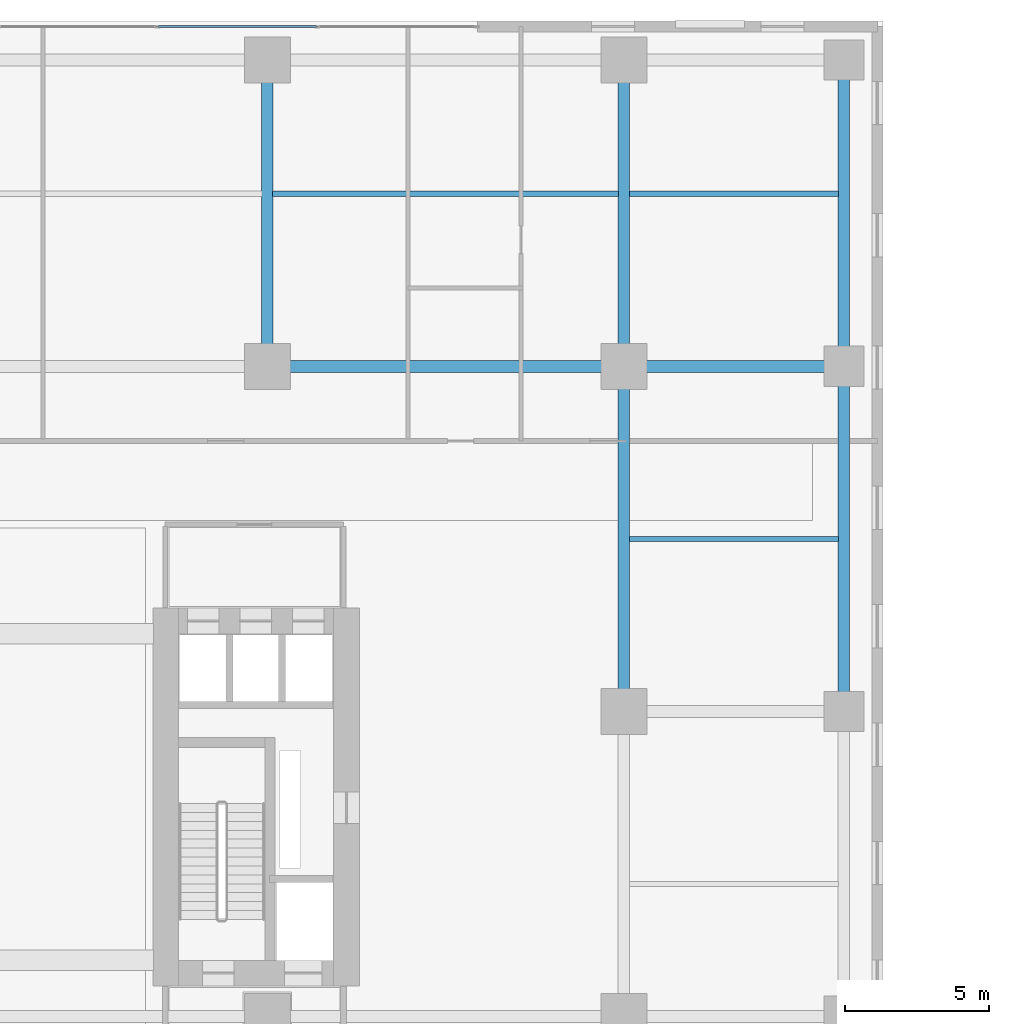
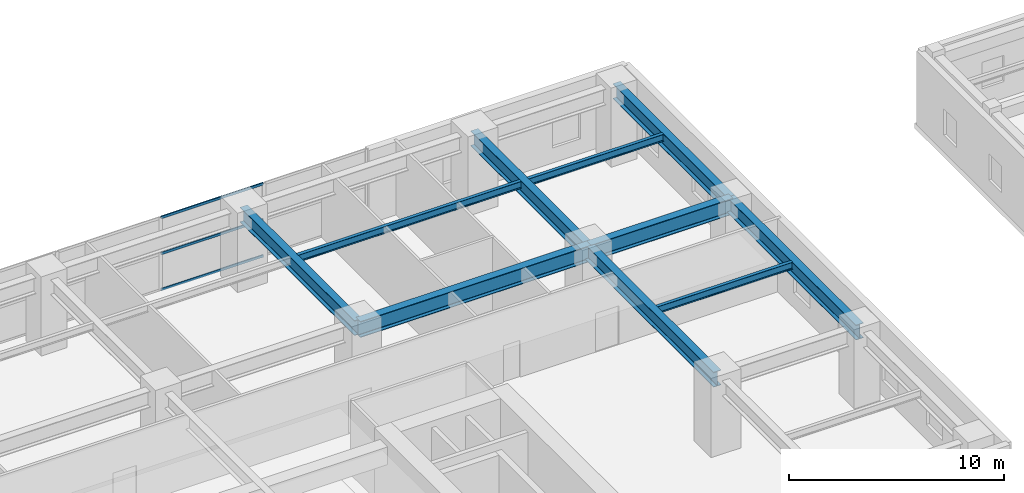
# One storey, part 7 of 28: 10 beams, 3 members, 1 element without a shape of its own.
"""IFC4 building model written with IfcOpenShell, lengths in metres."""

from ifc_helpers import new_model, si_unit, direction, frame, origin, origin_2d, place, context, subcontext, project, spatial, hollow_rectangle, i_section, extrude, source, transform, mapped, material, layer, layer_set, material_profile, profile_set, type_object, element, aggregate, save


model = new_model("IFC4")

# Units and contexts
model_context = context("Model", 3, precision=1e-05, world=origin(), true_north=direction((0.0, 1.0)))
body_context = subcontext(model_context, "Body", "Model", "MODEL_VIEW")
ifc_project = project(units=[si_unit("LENGTHUNIT", "METRE"), si_unit("AREAUNIT", "SQUARE_METRE"), si_unit("VOLUMEUNIT", "CUBIC_METRE"), si_unit("PLANEANGLEUNIT", "RADIAN"), si_unit("MASSUNIT", "GRAM", prefix="KILO")], contexts=[model_context])

# Site, building, storey
site_placement = place(None, origin())
site = spatial("IfcSite", under=ifc_project, at=site_placement, CompositionType="ELEMENT")
building_placement = place(site_placement, origin())
building = spatial("IfcBuilding", under=site, at=building_placement, Name="Khoralis Quay Care Tower", CompositionType="ELEMENT")
storey_placement = place(building_placement, frame((0.0, 0.0, 9.0)))
storey = spatial("IfcBuildingStorey", under=building, at=storey_placement, Name="L02", CompositionType="ELEMENT", Elevation=9.0)

# Beams
ifc_material_1 = material(Name="Steel S355", Category="steel")
ifc_material_profile_1 = material_profile(ifc_material_1, i_section(OverallWidth=0.41796875, OverallDepth=0.912109375, WebThickness=0.019287109375, FlangeThickness=0.031982421875, FilletRadius=0.02392578125, at=origin_2d()), Name="Steel S355")
ifc_profile_set_1 = profile_set([ifc_material_profile_1], Name="Steel S355")
beam_type_1 = type_object("IfcBeamType", Name="BM-W920X342", PredefinedType="BEAM", material=ifc_profile_set_1)
shared_shape_1 = source(origin(), body_context, "Body", "SweptSolid", [
    extrude(i_section(OverallWidth=0.41796875, OverallDepth=0.912109375, WebThickness=0.019287109375, FlangeThickness=0.031982421875, FilletRadius=0.02392578125, at=origin_2d()), origin(), (0.0, 0.0, 1.0), 12.39990234375),
])
beam_1_placement = place(storey_placement, frame((34.60009765625, 36.0, 3.7041015625), z_axis=(1.0, 0.0, 0.0), x_axis=(0.0, 1.0, 0.0)))
element("IfcBeam", 1, at=beam_1_placement, inside=storey, type_object=beam_type_1, Name="BM-PODX-L02-17", PredefinedType="BEAM", context=body_context, shape_type="MappedRepresentation", body=[
    mapped(shared_shape_1, transform((0.0, 0.0, 0.0), scale=1.0)),
])
shared_shape_2 = source(origin(), body_context, "Body", "SweptSolid", [
    extrude(i_section(OverallWidth=0.41796875, OverallDepth=0.912109375, WebThickness=0.019287109375, FlangeThickness=0.031982421875, FilletRadius=0.02392578125, at=origin_2d()), origin(), (0.0, 0.0, 1.0), 7.64990234375),
])
beam_2_placement = place(storey_placement, frame((47.0, 36.0, 3.7041015625), z_axis=(1.0, 0.0, 0.0), x_axis=(0.0, 1.0, 0.0)))
element("IfcBeam", 2, at=beam_2_placement, inside=storey, type_object=beam_type_1, Name="BM-PODX-L02-18", PredefinedType="BEAM", context=body_context, shape_type="MappedRepresentation", body=[
    mapped(shared_shape_2, transform((0.0, 0.0, 0.0), scale=1.0)),
])
ifc_material_profile_2 = material_profile(ifc_material_1, i_section(OverallWidth=0.39990234375, OverallDepth=0.85498046875, WebThickness=0.018310546875, FlangeThickness=0.029296875, FilletRadius=0.02392578125, at=origin_2d()), Name="Steel S355")
ifc_profile_set_2 = profile_set([ifc_material_profile_2], Name="Steel S355")
beam_type_2 = type_object("IfcBeamType", Name="BM-W840X299", PredefinedType="BEAM", material=ifc_profile_set_2)
shared_shape_3 = source(origin(), body_context, "Body", "SweptSolid", [
    extrude(i_section(OverallWidth=0.39990234375, OverallDepth=0.85498046875, WebThickness=0.018310546875, FlangeThickness=0.029296875, FilletRadius=0.02392578125, at=origin_2d()), origin(), (0.0, 0.0, 1.0), 12.0),
])
for number, where, z_axis, x_axis, name in (
    (3, (47.0, 24.0, 3.732421875), (0.0, 1.0, 0.0), (-1.0, 0.0, 0.0), "BM-PODY-L02-42"),
    (4, (54.64990234375, 24.0, 3.732421875), (0.0, 1.0, 0.0), (-1.0, 0.0, 0.0), "BM-PODY-L02-45"),
):
    element("IfcBeam", number, at=place(storey_placement, frame(where, z_axis=z_axis, x_axis=x_axis)), inside=storey, type_object=beam_type_2, Name=name, PredefinedType="BEAM", context=body_context, shape_type="MappedRepresentation", body=[
        mapped(shared_shape_3, transform((0.0, 0.0, 0.0), scale=1.0)),
    ])
shared_shape_4 = source(origin(), body_context, "Body", "SweptSolid", [
    extrude(i_section(OverallWidth=0.39990234375, OverallDepth=0.85498046875, WebThickness=0.018310546875, FlangeThickness=0.029296875, FilletRadius=0.02392578125, at=origin_2d()), origin(), (0.0, 0.0, 1.0), 10.64990234375),
])
for number, where, z_axis, x_axis, name in (
    (5, (34.60009765625, 36.0, 3.732421875), (0.0, 1.0, 0.0), (-1.0, 0.0, 0.0), "BM-PODY-L02-39"),
    (6, (47.0, 36.0, 3.732421875), (0.0, 1.0, 0.0), (-1.0, 0.0, 0.0), "BM-PODY-L02-43"),
    (7, (54.64990234375, 36.0, 3.732421875), (0.0, 1.0, 0.0), (-1.0, 0.0, 0.0), "BM-PODY-L02-46"),
):
    element("IfcBeam", number, at=place(storey_placement, frame(where, z_axis=z_axis, x_axis=x_axis)), inside=storey, type_object=beam_type_2, Name=name, PredefinedType="BEAM", context=body_context, shape_type="MappedRepresentation", body=[
        mapped(shared_shape_4, transform((0.0, 0.0, 0.0), scale=1.0)),
    ])
ifc_material_profile_3 = material_profile(ifc_material_1, i_section(OverallWidth=0.177978515625, OverallDepth=0.406982421875, WebThickness=0.0078125, FlangeThickness=0.0126953125, FilletRadius=0.012939453125, at=origin_2d()), Name="Steel S355")
ifc_profile_set_3 = profile_set([ifc_material_profile_3], Name="Steel S355")
beam_type_3 = type_object("IfcBeamType", Name="BM-W410X60", PredefinedType="JOIST", material=ifc_profile_set_3)
shared_shape_5 = source(origin(), body_context, "Body", "SweptSolid", [
    extrude(i_section(OverallWidth=0.177978515625, OverallDepth=0.406982421875, WebThickness=0.0078125, FlangeThickness=0.0126953125, FilletRadius=0.012939453125, at=origin_2d()), origin(), (0.0, 0.0, 1.0), 12.02392578125),
])
beam_3_placement = place(storey_placement, frame((34.7880859375, 42.0, 3.95654296875), z_axis=(1.0, 0.0, 0.0), x_axis=(0.0, 1.0, 0.0)))
element("IfcBeam", 8, at=beam_3_placement, inside=storey, type_object=beam_type_3, Name="BM-PODJ-L02-58", PredefinedType="JOIST", context=body_context, shape_type="MappedRepresentation", body=[
    mapped(shared_shape_5, transform((0.0, 0.0, 0.0), scale=1.0)),
])
shared_shape_6 = source(origin(), body_context, "Body", "SweptSolid", [
    extrude(i_section(OverallWidth=0.177978515625, OverallDepth=0.406982421875, WebThickness=0.0078125, FlangeThickness=0.0126953125, FilletRadius=0.012939453125, at=origin_2d()), origin(), (0.0, 0.0, 1.0), 7.27392578125),
])
for number, where, z_axis, x_axis, name in (
    (9, (47.18798828125, 30.0, 3.95654296875), (1.0, 0.0, 0.0), (0.0, 1.0, 0.0), "BM-PODJ-L02-54"),
    (10, (47.18798828125, 42.0, 3.95654296875), (1.0, 0.0, 0.0), (0.0, 1.0, 0.0), "BM-PODJ-L02-59"),
):
    element("IfcBeam", number, at=place(storey_placement, frame(where, z_axis=z_axis, x_axis=x_axis)), inside=storey, type_object=beam_type_3, Name=name, PredefinedType="JOIST", context=body_context, shape_type="MappedRepresentation", body=[
        mapped(shared_shape_6, transform((0.0, 0.0, 0.0), scale=1.0)),
    ])

# Curtain wall, members
ifc_material_2 = material(Name="Pale anodised aluminium", Category="aluminium")
ifc_layer = layer(ifc_material_2, 0.179931640625)
ifc_layer_set = layer_set([ifc_layer], Name="Pale anodised aluminium")
curtain_wall_type = type_object("IfcCurtainWallType", Name="CW-SYS-Z1", PredefinedType="NOTDEFINED", material=ifc_layer_set)
curtain_wall_placement = place(storey_placement, origin())
curtain_wall = element("IfcCurtainWall", 11, at=curtain_wall_placement, inside=storey, type_object=curtain_wall_type, Name="L02 Unitised Curtain Wall CW-POD-L02-E4", PredefinedType="NOTDEFINED")
ifc_material_profile_4 = material_profile(ifc_material_2, hollow_rectangle(XDim=0.06005859375, YDim=0.139892578125, WallThickness=0.00390625, at=origin_2d()), Name="Pale anodised aluminium")
ifc_profile_set_4 = profile_set([ifc_material_profile_4], Name="Pale anodised aluminium")
member_type = type_object("IfcMemberType", Name="CW-TRN-140", PredefinedType="USERDEFINED", material=ifc_profile_set_4)
shared_shape_7 = source(origin(), body_context, "Body", "SweptSolid", [
    extrude(hollow_rectangle(XDim=0.06005859375, YDim=0.139892578125, WallThickness=0.00390625, at=origin_2d()), origin(), (0.0, 0.0, 1.0), 5.501953125),
])
member_1_placement = place(storey_placement, frame((36.31298828125, 47.81005859375, 0.030029296875), z_axis=(-1.0, 0.0, 0.0), x_axis=(0.0, -1.0, 0.0)))
member_1 = element("IfcMember", 12, at=member_1_placement, type_object=member_type, Name="CW1 transom 2.1", ObjectType="TRANSOM", PredefinedType="USERDEFINED", context=body_context, shape_type="MappedRepresentation", body=[
    mapped(shared_shape_7, transform((0.0, 0.0, 0.0), scale=1.0)),
])
member_2_placement = place(storey_placement, frame((36.31298828125, 47.81005859375, 2.080078125), z_axis=(-1.0, 0.0, 0.0), x_axis=(0.0, -1.0, 0.0)))
member_2 = element("IfcMember", 13, at=member_2_placement, type_object=member_type, Name="CW1 transom 2.2", ObjectType="TRANSOM", PredefinedType="USERDEFINED", context=body_context, shape_type="MappedRepresentation", body=[
    mapped(shared_shape_7, transform((0.0, 0.0, 0.0), scale=1.0)),
])
member_3_placement = place(storey_placement, frame((36.31298828125, 47.81005859375, 4.1298828125), z_axis=(-1.0, 0.0, 0.0), x_axis=(0.0, -1.0, 0.0)))
member_3 = element("IfcMember", 14, at=member_3_placement, type_object=member_type, Name="CW1 transom 2.3", ObjectType="TRANSOM", PredefinedType="USERDEFINED", context=body_context, shape_type="MappedRepresentation", body=[
    mapped(shared_shape_7, transform((0.0, 0.0, 0.0), scale=1.0)),
])
aggregate(curtain_wall, [member_1, member_2, member_3])

save(model, "model.ifc")
